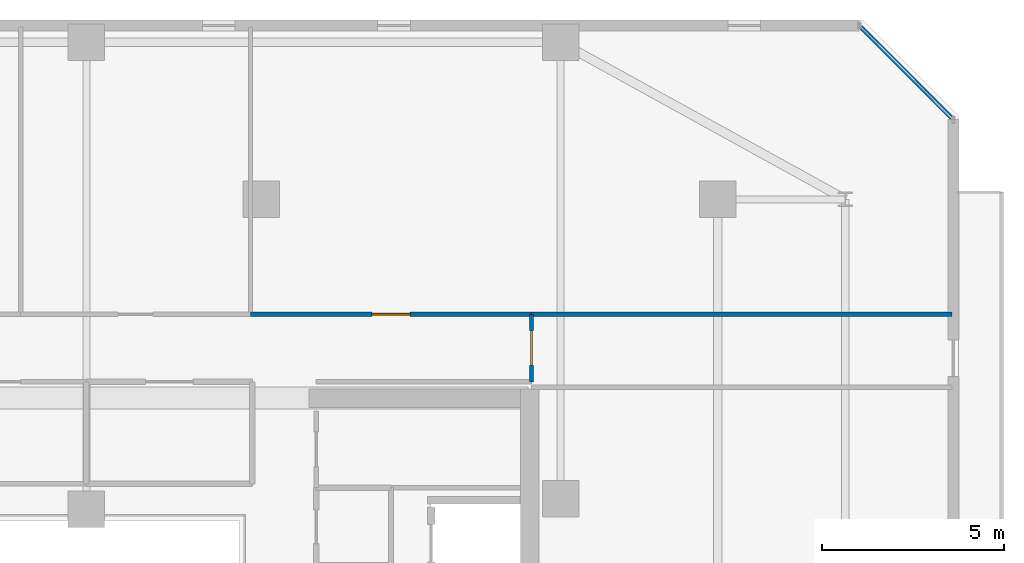
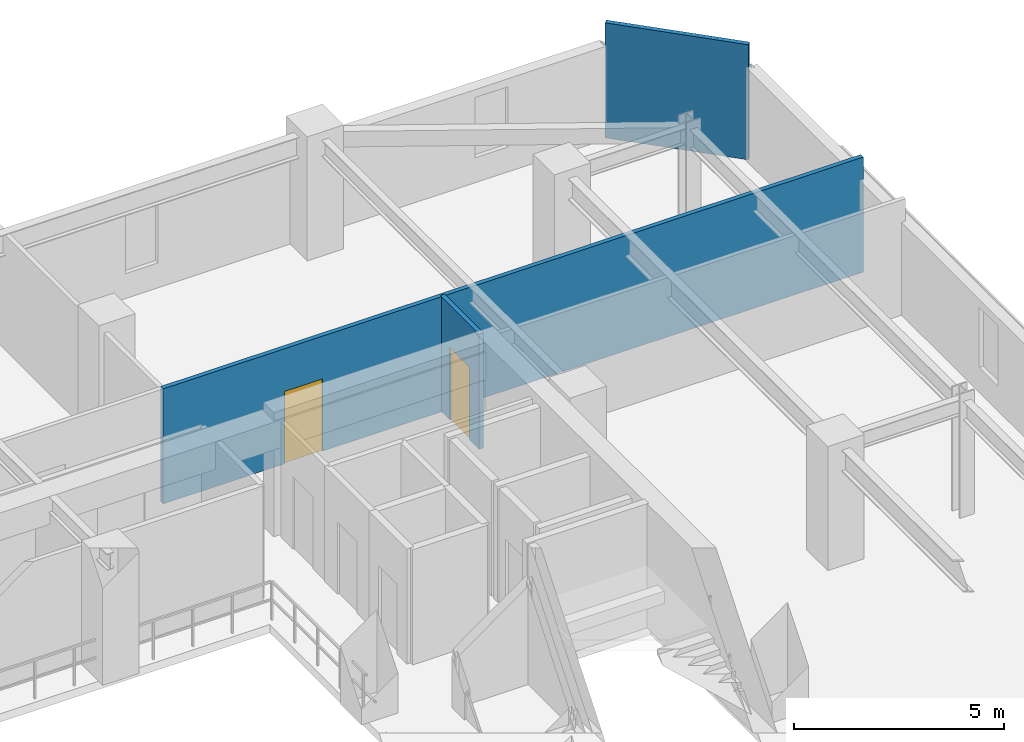
# One storey, part 25 of 32: 4 walls, 2 doors, 2 openings.
"""IFC4 building model written with IfcOpenShell, lengths in metres."""

from ifc_helpers import new_model, si_unit, direction, frame, frame_2d, origin, place, context, subcontext, project, spatial, rectangle, extrude, material, layer, layer_set, type_object, element, fill, save


model = new_model("IFC4")

# Units and contexts
model_context = context("Model", 3, precision=1e-05, world=origin(), true_north=direction((0.0, 1.0)))
body_context = subcontext(model_context, "Body", "Model", "MODEL_VIEW")
ifc_project = project(units=[si_unit("LENGTHUNIT", "METRE"), si_unit("AREAUNIT", "SQUARE_METRE"), si_unit("VOLUMEUNIT", "CUBIC_METRE"), si_unit("PLANEANGLEUNIT", "RADIAN"), si_unit("MASSUNIT", "GRAM", prefix="KILO")], contexts=[model_context])

# Site, building, storey
site_placement = place(None, origin())
site = spatial("IfcSite", under=ifc_project, at=site_placement, CompositionType="ELEMENT")
building_placement = place(site_placement, origin())
building = spatial("IfcBuilding", under=site, at=building_placement, Name="Thornwick Lancets Civic Towers", CompositionType="ELEMENT")
storey_placement = place(building_placement, frame((0.0, 0.0, 243.89990234375)))
storey = spatial("IfcBuildingStorey", under=building, at=storey_placement, Name="L65", CompositionType="ELEMENT", Elevation=243.89990234375)

# Wall, opening, door
ifc_material_1 = material(Name="Acoustic gypsum board partition")
ifc_layer = layer(ifc_material_1, 0.1201171875, Name="Acoustic gypsum board partition")
ifc_layer_set = layer_set([ifc_layer], Name="Acoustic gypsum board partition")
wall_type = type_object("IfcWallType", Name="WALL_PART_120", PredefinedType="PARTITIONING", material=ifc_layer_set)
wall_1_placement = place(storey_placement, frame((100.699951171875, 35.0, 0.0), z_axis=(0.0, 0.0, 1.0), x_axis=(0.0, 1.0, 0.0)))
wall_1 = element("IfcWall", 1, at=wall_1_placement, inside=storey, type_object=wall_type, Name="L65 Partition L65-B-RECLAIM-L E3", PredefinedType="PARTITIONING", context=body_context, shape_type="SweptSolid", body=[
    extrude(rectangle(XDim=1.85009765625, YDim=0.1201171875, at=frame_2d((0.925048828125, 0.0))), origin(), (0.0, 0.0, 1.0), 3.340087890625),
])
opening_1_placement = place(wall_1_placement, frame((0.449951171875, 0.0, 0.0)))
opening_1 = element("IfcOpeningElement", 2, at=opening_1_placement, cuts=wall_1, Name="Opening D-L65-2957", PredefinedType="OPENING", context=body_context, shape_type="SweptSolid", body=[
    extrude(rectangle(XDim=0.949951171875, YDim=2.10009765625, at=frame_2d((0.47509765625, 1.050048828125))), frame((0.0, 0.070068359375, 0.0), z_axis=(0.0, -1.0, 0.0), x_axis=(1.0, 0.0, 0.0)), (0.0, 0.0, 1.0), 0.14013671875),
])
ifc_material_2 = material(Name="European oak acoustic doorset")
door_type_1 = type_object("IfcDoorType", Name="DOOR_OFFICE_950", OperationType="NOTDEFINED", PredefinedType="DOOR", material=ifc_material_2)
door_1_placement = place(opening_1_placement, origin())
door_1 = element("IfcDoor", 3, at=door_1_placement, inside=storey, type_object=door_type_1, Name="L65 Tower B Parliamentary Drafting Library Door", OperationType="SINGLE_SWING_RIGHT", OverallHeight=2.10009765625, OverallWidth=0.949951171875, PredefinedType="DOOR", context=body_context, shape_type="SweptSolid", body=[
    extrude(rectangle(XDim=0.949951171875, YDim=2.10009765625, at=frame_2d((0.47509765625, 1.050048828125))), frame((0.0, 0.02490234375, 0.0), z_axis=(0.0, -1.0, 0.0), x_axis=(1.0, 0.0, 0.0)), (0.0, 0.0, 1.0), 0.050048828125),
])
fill(opening_1, door_1)

# Wall
wall_2_placement = place(storey_placement, frame((100.699951171875, 36.85009765625, 0.0), z_axis=(0.0, 0.0, 1.0), x_axis=(1.0, 0.0, 0.0)))
element("IfcWall", 4, at=wall_2_placement, inside=storey, type_object=wall_type, Name="L65 Partition L65-B-RECLAIM-L E4", PredefinedType="PARTITIONING", context=body_context, shape_type="SweptSolid", body=[
    extrude(rectangle(XDim=11.52001953125, YDim=0.1201171875, at=frame_2d((5.760009765625, 0.0))), origin(), (0.0, 0.0, 1.0), 3.340087890625),
])

# Wall, opening, door
wall_3_placement = place(storey_placement, frame((100.699951171875, 36.85009765625, 0.0), z_axis=(0.0, 0.0, 1.0), x_axis=(-1.0, 0.0, 0.0)))
wall_3 = element("IfcWall", 5, at=wall_3_placement, inside=storey, type_object=wall_type, Name="L65 Partition L65-B-E1 E1", PredefinedType="PARTITIONING", context=body_context, shape_type="SweptSolid", body=[
    extrude(rectangle(XDim=7.699951171875, YDim=0.1201171875, at=frame_2d((3.85009765625, 0.0))), origin(), (0.0, 0.0, 1.0), 3.340087890625),
])
opening_2_placement = place(wall_3_placement, frame((3.324951171875, 0.0, 0.0)))
opening_2 = element("IfcOpeningElement", 6, at=opening_2_placement, cuts=wall_3, Name="Opening D-L65-2964", PredefinedType="OPENING", context=body_context, shape_type="SweptSolid", body=[
    extrude(rectangle(XDim=1.050048828125, YDim=2.10009765625, at=frame_2d((0.52490234375, 1.050048828125))), frame((0.0, 0.070068359375, 0.0), z_axis=(0.0, -1.0, 0.0), x_axis=(1.0, 0.0, 0.0)), (0.0, 0.0, 1.0), 0.14013671875),
])
ifc_material_3 = material(Name="Glazed European oak executive doorset")
door_type_2 = type_object("IfcDoorType", Name="DOOR_OFFICE_1050", OperationType="NOTDEFINED", PredefinedType="DOOR", material=ifc_material_3)
door_2_placement = place(opening_2_placement, origin())
door_2 = element("IfcDoor", 7, at=door_2_placement, inside=storey, type_object=door_type_2, Name="L65 Tower B Secretariat Open Office E1 Door", OperationType="SINGLE_SWING_LEFT", OverallHeight=2.10009765625, OverallWidth=1.050048828125, PredefinedType="DOOR", context=body_context, shape_type="SweptSolid", body=[
    extrude(rectangle(XDim=1.050048828125, YDim=2.10009765625, at=frame_2d((0.52490234375, 1.050048828125))), frame((0.0, 0.02490234375, 0.0), z_axis=(0.0, -1.0, 0.0), x_axis=(1.0, 0.0, 0.0)), (0.0, 0.0, 1.0), 0.050048828125),
])
fill(opening_2, door_2)

# Wall
wall_4_placement = place(storey_placement, frame((109.725341796875, 44.719970703125, 0.0), z_axis=(0.0, 0.0, 1.0), x_axis=(0.707106781187, -0.707106781187, 0.0)))
element("IfcWall", 8, at=wall_4_placement, inside=storey, type_object=wall_type, Name="L65 Partition L65-B-E1 E4", PredefinedType="PARTITIONING", context=body_context, shape_type="SweptSolid", body=[
    extrude(rectangle(XDim=3.52783203125, YDim=0.1201171875, at=frame_2d((1.763916015625, 0.0))), origin(), (0.0, 0.0, 1.0), 3.340087890625),
])

save(model, "model.ifc")
